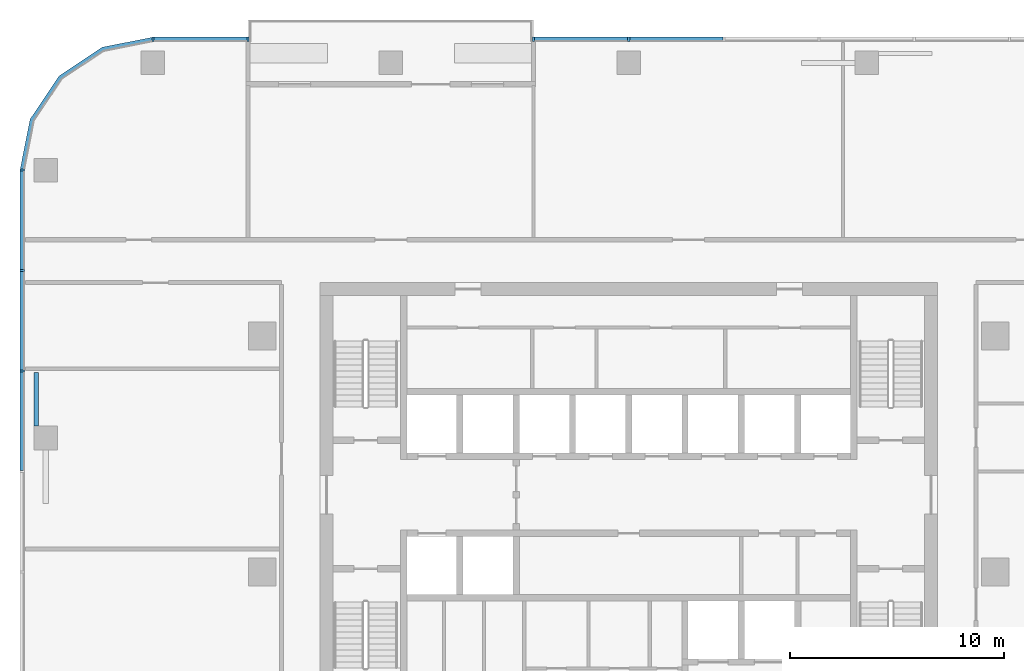
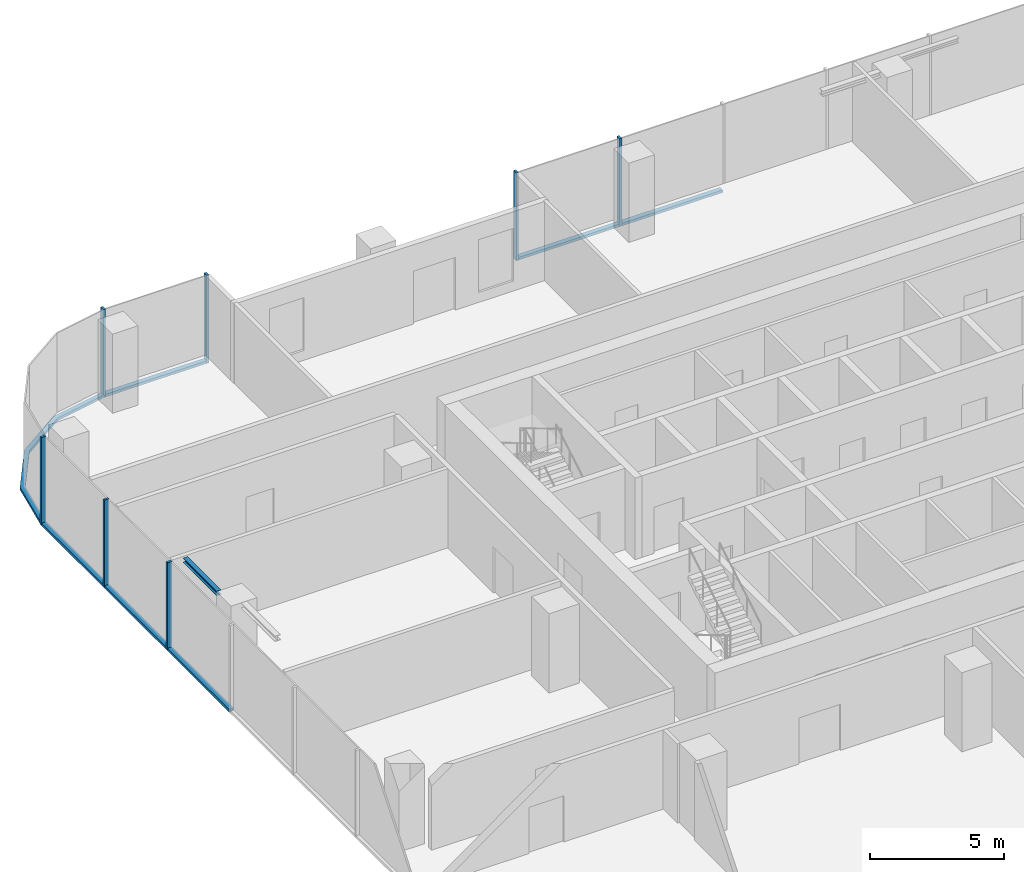
# One storey, part 4 of 14: 14 members, 1 beam, 4 elements without a shape of their own.
"""IFC4 building model written with IfcOpenShell, lengths in metres."""

from ifc_helpers import new_model, si_unit, direction, frame, origin, origin_2d, place, context, subcontext, project, spatial, polyline, rectangle, i_section, outline, extrude, material, material_profile, profile_set, type_object, element, aggregate, save


model = new_model("IFC4")

# Units and contexts
model_context = context("Model", 3, precision=1e-05, world=origin(), true_north=direction((0.0, 1.0)))
body_context = subcontext(model_context, "Body", "Model", "MODEL_VIEW")
ifc_project = project(units=[si_unit("LENGTHUNIT", "METRE"), si_unit("AREAUNIT", "SQUARE_METRE"), si_unit("VOLUMEUNIT", "CUBIC_METRE"), si_unit("PLANEANGLEUNIT", "RADIAN"), si_unit("MASSUNIT", "GRAM", prefix="KILO")], contexts=[model_context])

# Site, building, storey
site_placement = place(None, origin())
site = spatial("IfcSite", under=ifc_project, at=site_placement, CompositionType="ELEMENT")
building_placement = place(site_placement, origin())
building = spatial("IfcBuilding", under=site, at=building_placement, Name="Mopane Tessera Tower", CompositionType="ELEMENT")
storey_placement = place(building_placement, frame((0.0, 0.0, 231.0)))
storey = spatial("IfcBuildingStorey", under=building, at=storey_placement, Name="L49", CompositionType="ELEMENT", Elevation=231.0)

# Curtain wall, members
ifc_material_1 = material(Name="Aluminium frame", Category="aluminium")
curtain_wall_type = type_object("IfcCurtainWallType", Name="Unitised curtain wall", PredefinedType="NOTDEFINED", material=ifc_material_1)
curtain_wall_1_placement = place(storey_placement, origin())
curtain_wall_1 = element("IfcCurtainWall", 1, at=curtain_wall_1_placement, inside=storey, type_object=curtain_wall_type, Name="e:cw:L49:N:0", PredefinedType="NOTDEFINED")
ifc_material_2 = material(Name="Aluminium frame", Category="aluminium")
ifc_material_profile_1 = material_profile(ifc_material_2, rectangle(XDim=0.10009765625, YDim=0.199951171875, at=origin_2d()))
ifc_profile_set_1 = profile_set([ifc_material_profile_1], Name="Aluminium frame")
member_type_1 = type_object("IfcMemberType", Name="Aluminium mullion 100 x 200", PredefinedType="MULLION", material=ifc_profile_set_1)
member_1_placement = place(storey_placement, frame((0.0, 24.85009765625, -0.39990234375), z_axis=(0.0, 0.0, 1.0), x_axis=(-1.0, 0.0, 0.0)))
member_1 = element("IfcMember", 2, at=member_1_placement, type_object=member_type_1, Name="e:cw:L49:N:0:mu5", PredefinedType="MULLION", context=body_context, shape_type="SweptSolid", body=[
    extrude(rectangle(XDim=0.10009765625, YDim=0.199951171875, at=origin_2d()), origin(), (0.0, 0.0, 1.0), 4.0),
])
member_2_placement = place(storey_placement, frame((-4.43994140625, 24.85009765625, -0.39990234375), z_axis=(0.0, 0.0, 1.0), x_axis=(-1.0, 0.0, 0.0)))
member_2 = element("IfcMember", 3, at=member_2_placement, type_object=member_type_1, Name="e:cw:L49:N:0:mu6", PredefinedType="MULLION", context=body_context, shape_type="SweptSolid", body=[
    extrude(rectangle(XDim=0.10009765625, YDim=0.199951171875, at=origin_2d()), origin(), (0.0, 0.0, 1.0), 4.0),
])

curtain_wall_2_placement = place(storey_placement, origin())
curtain_wall_2 = element("IfcCurtainWall", 4, at=curtain_wall_2_placement, inside=storey, type_object=curtain_wall_type, Name="e:cw:L49:N:9", PredefinedType="NOTDEFINED")
member_3_placement = place(storey_placement, frame((-17.760009765625, 24.85009765625, -0.39990234375), z_axis=(0.0, 0.0, 1.0), x_axis=(-1.0, 0.0, 0.0)))
member_3 = element("IfcMember", 5, at=member_3_placement, type_object=member_type_1, Name="e:cw:L49:N:9:mu9", PredefinedType="MULLION", context=body_context, shape_type="SweptSolid", body=[
    extrude(rectangle(XDim=0.10009765625, YDim=0.199951171875, at=origin_2d()), origin(), (0.0, 0.0, 1.0), 4.0),
])
member_4_placement = place(storey_placement, frame((-22.199951171875, 24.85009765625, -0.39990234375), z_axis=(0.0, 0.0, 1.0), x_axis=(-1.0, 0.0, 0.0)))
member_4 = element("IfcMember", 6, at=member_4_placement, type_object=member_type_1, Name="e:cw:L49:N:9:mu10", PredefinedType="MULLION", context=body_context, shape_type="SweptSolid", body=[
    extrude(rectangle(XDim=0.10009765625, YDim=0.199951171875, at=origin_2d()), origin(), (0.0, 0.0, 1.0), 4.0),
])

curtain_wall_3_placement = place(storey_placement, origin())
curtain_wall_3 = element("IfcCurtainWall", 7, at=curtain_wall_3_placement, inside=storey, type_object=curtain_wall_type, Name="e:cw:L49:W:0", PredefinedType="NOTDEFINED")
member_5_placement = place(storey_placement, frame((-28.300048828125, 18.75, -0.39990234375), z_axis=(0.0, 0.0, 1.0), x_axis=(0.0, -1.0, 0.0)))
member_5 = element("IfcMember", 8, at=member_5_placement, type_object=member_type_1, Name="e:cw:L49:W:0:mu0", PredefinedType="MULLION", context=body_context, shape_type="SweptSolid", body=[
    extrude(rectangle(XDim=0.10009765625, YDim=0.199951171875, at=origin_2d()), origin(), (0.0, 0.0, 1.0), 4.0),
])
member_6_placement = place(storey_placement, frame((-28.300048828125, 14.0625, -0.39990234375), z_axis=(0.0, 0.0, 1.0), x_axis=(0.0, -1.0, 0.0)))
member_6 = element("IfcMember", 9, at=member_6_placement, type_object=member_type_1, Name="e:cw:L49:W:0:mu1", PredefinedType="MULLION", context=body_context, shape_type="SweptSolid", body=[
    extrude(rectangle(XDim=0.10009765625, YDim=0.199951171875, at=origin_2d()), origin(), (0.0, 0.0, 1.0), 4.0),
])
member_7_placement = place(storey_placement, frame((-28.300048828125, 9.375, -0.39990234375), z_axis=(0.0, 0.0, 1.0), x_axis=(0.0, -1.0, 0.0)))
member_7 = element("IfcMember", 10, at=member_7_placement, type_object=member_type_1, Name="e:cw:L49:W:0:mu2", PredefinedType="MULLION", context=body_context, shape_type="SweptSolid", body=[
    extrude(rectangle(XDim=0.10009765625, YDim=0.199951171875, at=origin_2d()), origin(), (0.0, 0.0, 1.0), 4.0),
])

# Member
ifc_material_3 = material(Name="Aluminium frame", Category="aluminium")
ifc_material_profile_2 = material_profile(ifc_material_3, rectangle(XDim=0.199951171875, YDim=0.1201171875, at=origin_2d()))
ifc_profile_set_2 = profile_set([ifc_material_profile_2], Name="Aluminium frame")
member_type_2 = type_object("IfcMemberType", Name="Aluminium transom 200 x 120", PredefinedType="USERDEFINED", material=ifc_profile_set_2)
member_8_placement = place(storey_placement, frame((4.389892578125, 24.85009765625, -0.340087890625), z_axis=(-1.0, 0.0, 0.0), x_axis=(0.0, -1.0, 0.0)))
member_8 = element("IfcMember", 11, at=member_8_placement, type_object=member_type_2, Name="e:cw:L49:N:0:tr4", ObjectType="TRANSOM", PredefinedType="USERDEFINED", context=body_context, shape_type="SweptSolid", body=[
    extrude(rectangle(XDim=0.199951171875, YDim=0.1201171875, at=origin_2d()), origin(), (0.0, 0.0, 1.0), 4.33984375),
])

member_9_placement = place(storey_placement, frame((-0.050048828125, 24.85009765625, -0.340087890625), z_axis=(-1.0, 0.0, 0.0), x_axis=(0.0, -1.0, 0.0)))
member_9 = element("IfcMember", 12, at=member_9_placement, type_object=member_type_2, Name="e:cw:L49:N:0:tr5", ObjectType="TRANSOM", PredefinedType="USERDEFINED", context=body_context, shape_type="SweptSolid", body=[
    extrude(rectangle(XDim=0.199951171875, YDim=0.1201171875, at=origin_2d()), origin(), (0.0, 0.0, 1.0), 4.33984375),
])

aggregate(curtain_wall_1, [member_1, member_2, member_8, member_9])

member_10_placement = place(storey_placement, frame((-17.81005859375, 24.85009765625, -0.340087890625), z_axis=(-1.0, 0.0, 0.0), x_axis=(0.0, -1.0, 0.0)))
member_10 = element("IfcMember", 13, at=member_10_placement, type_object=member_type_2, Name="e:cw:L49:N:9:tr9", ObjectType="TRANSOM", PredefinedType="USERDEFINED", context=body_context, shape_type="SweptSolid", body=[
    extrude(rectangle(XDim=0.199951171875, YDim=0.1201171875, at=origin_2d()), origin(), (0.0, 0.0, 1.0), 4.33984375),
])

aggregate(curtain_wall_2, [member_3, member_4, member_10])

# Curtain wall, member
curtain_wall_4_placement = place(storey_placement, origin())
curtain_wall_4 = element("IfcCurtainWall", 14, at=curtain_wall_4_placement, inside=storey, type_object=curtain_wall_type, Name="e:cw:L49:CN", PredefinedType="NOTDEFINED")
member_11_placement = place(storey_placement, frame((0.0, 0.0, -0.39990234375)))
member_11 = element("IfcMember", 15, at=member_11_placement, type_object=member_type_2, Name="e:cw:L49:CN:tr", ObjectType="TRANSOM", PredefinedType="USERDEFINED", context=body_context, shape_type="SweptSolid", body=[
    extrude(outline(polyline([(-22.199951171875, 24.75), (-24.49609375, 24.293212890625), (-26.442626953125, 22.99267578125), (-27.7431640625, 21.046142578125), (-28.199951171875, 18.75), (-28.39990234375, 18.75), (-27.927978515625, 21.12255859375), (-26.583984375, 23.134033203125), (-24.57275390625, 24.47802734375), (-22.199951171875, 24.949951171875), (-22.199951171875, 24.75)])), origin(), (0.0, 0.0, 1.0), 0.119873046875),
])
aggregate(curtain_wall_4, [member_11])

# Member
member_12_placement = place(storey_placement, frame((-28.300048828125, 18.699951171875, -0.340087890625), z_axis=(0.0, -1.0, 0.0), x_axis=(1.0, 0.0, 0.0)))
member_12 = element("IfcMember", 16, at=member_12_placement, type_object=member_type_2, Name="e:cw:L49:W:0:tr0", ObjectType="TRANSOM", PredefinedType="USERDEFINED", context=body_context, shape_type="SweptSolid", body=[
    extrude(rectangle(XDim=0.199951171875, YDim=0.1201171875, at=origin_2d()), origin(), (0.0, 0.0, 1.0), 4.58740234375),
])

member_13_placement = place(storey_placement, frame((-28.300048828125, 14.012451171875, -0.340087890625), z_axis=(0.0, -1.0, 0.0), x_axis=(1.0, 0.0, 0.0)))
member_13 = element("IfcMember", 17, at=member_13_placement, type_object=member_type_2, Name="e:cw:L49:W:0:tr1", ObjectType="TRANSOM", PredefinedType="USERDEFINED", context=body_context, shape_type="SweptSolid", body=[
    extrude(rectangle(XDim=0.199951171875, YDim=0.1201171875, at=origin_2d()), origin(), (0.0, 0.0, 1.0), 4.58740234375),
])

member_14_placement = place(storey_placement, frame((-28.300048828125, 9.324951171875, -0.340087890625), z_axis=(0.0, -1.0, 0.0), x_axis=(1.0, 0.0, 0.0)))
member_14 = element("IfcMember", 18, at=member_14_placement, type_object=member_type_2, Name="e:cw:L49:W:0:tr2", ObjectType="TRANSOM", PredefinedType="USERDEFINED", context=body_context, shape_type="SweptSolid", body=[
    extrude(rectangle(XDim=0.199951171875, YDim=0.1201171875, at=origin_2d()), origin(), (0.0, 0.0, 1.0), 4.58740234375),
])

aggregate(curtain_wall_3, [member_5, member_6, member_7, member_12, member_13, member_14])

# Beam
ifc_material_4 = material(Name="Structural steel S460", Category="steel")
ifc_material_profile_3 = material_profile(ifc_material_4, i_section(OverallWidth=0.199951171875, OverallDepth=0.199951171875, WebThickness=0.009033203125, FlangeThickness=0.014892578125, FilletRadius=0.01806640625, at=origin_2d()))
ifc_profile_set_3 = profile_set([ifc_material_profile_3], Name="Structural steel S460")
beam_type = type_object("IfcBeamType", Name="Terrace trimmer beam HE 200 B", PredefinedType="BEAM", material=ifc_profile_set_3)
beam_placement = place(storey_placement, frame((-27.639892578125, 6.802978515625, 3.5), z_axis=(0.0, 1.0, 0.0), x_axis=(-1.0, 0.0, 0.0)))
element("IfcBeam", 19, at=beam_placement, inside=storey, type_object=beam_type, Name="Terrace trimmer beam N3 L50", PredefinedType="BEAM", context=body_context, shape_type="SweptSolid", body=[
    extrude(i_section(OverallWidth=0.199951171875, OverallDepth=0.199951171875, WebThickness=0.009033203125, FlangeThickness=0.014892578125, FilletRadius=0.01806640625, at=origin_2d()), origin(), (0.0, 0.0, 1.0), 2.5),
])

save(model, "model.ifc")
